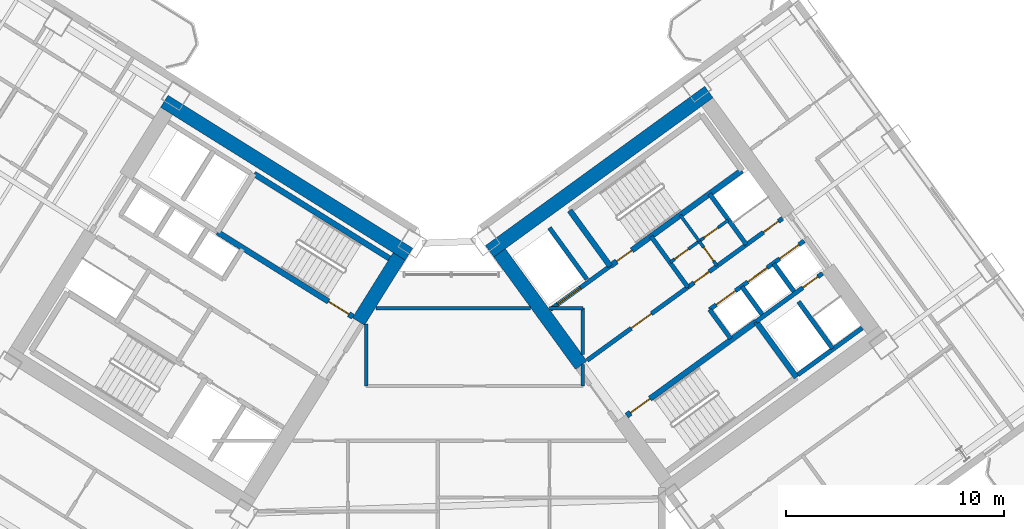
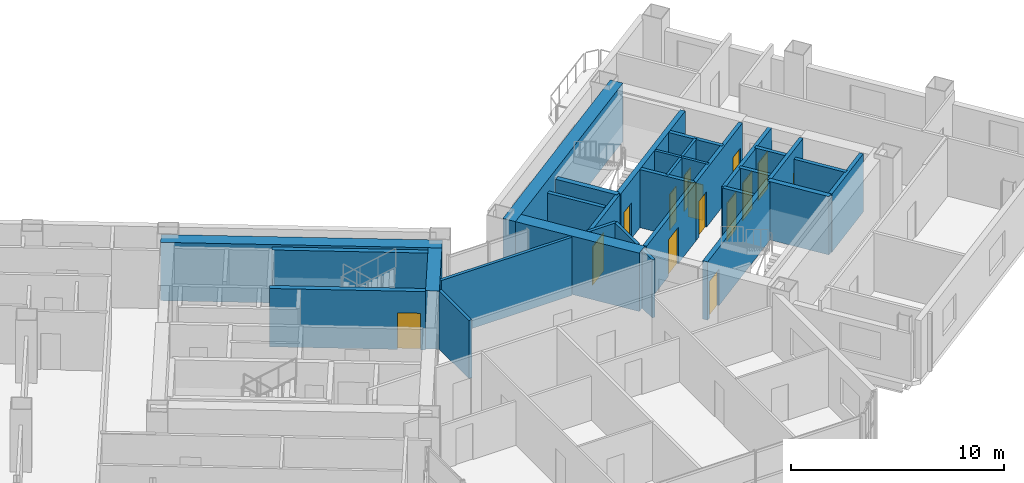
# One storey, part 18 of 24: 31 walls, 14 doors, 14 openings.
"""IFC4 building model written with IfcOpenShell, lengths in metres."""

from ifc_helpers import new_model, si_unit, direction, frame, frame_2d, origin, place, context, subcontext, project, spatial, rectangle, extrude, source, transform, mapped, material, layer, layer_set, type_object, element, fill, save


model = new_model("IFC4")

# Units and contexts
model_context = context("Model", 3, precision=1e-05, world=origin(), true_north=direction((0.0, 1.0)))
body_context = subcontext(model_context, "Body", "Model", "MODEL_VIEW")
ifc_project = project(units=[si_unit("LENGTHUNIT", "METRE"), si_unit("AREAUNIT", "SQUARE_METRE"), si_unit("VOLUMEUNIT", "CUBIC_METRE"), si_unit("PLANEANGLEUNIT", "RADIAN"), si_unit("MASSUNIT", "GRAM", prefix="KILO")], contexts=[model_context])

# Site, building, storey
site_placement = place(None, origin())
site = spatial("IfcSite", under=ifc_project, at=site_placement, CompositionType="ELEMENT")
building_placement = place(site_placement, origin())
building = spatial("IfcBuilding", under=site, at=building_placement, Name="Tlacorven Tower", CompositionType="ELEMENT")
storey_placement = place(building_placement, frame((0.0, 0.0, 38.39990234375)))
storey = spatial("IfcBuildingStorey", under=building, at=storey_placement, Name="L09", CompositionType="ELEMENT", Elevation=38.39990234375)

# Walls
ifc_material_1 = material(Name="Concrete C60/75", Category="concrete")
ifc_layer_1 = layer(ifc_material_1, 0.64990234375)
ifc_layer_set_1 = layer_set([ifc_layer_1], Name="Concrete C60/75")
wall_type_1 = type_object("IfcWallType", Name="WL-COR-650", PredefinedType="SHEAR", material=ifc_layer_set_1)
wall_1_placement = place(storey_placement, frame((40.615478515625, 23.9833984375, 0.0), z_axis=(0.0, 0.0, 1.0), x_axis=(-0.848045953968, 0.529922692436, 0.0)))
element("IfcWall", 1, at=wall_1_placement, inside=storey, type_object=wall_type_1, Name="L09 W core shear wall S1", PredefinedType="SHEAR", context=body_context, shape_type="SweptSolid", body=[
    extrude(rectangle(XDim=13.239990234375, YDim=0.64990234375, at=frame_2d((6.6201171875, 0.0))), origin(), (0.0, 0.0, 1.0), 3.35009765625),
])
wall_2_placement = place(storey_placement, frame((40.167724609375, 23.880126953125, 0.0), z_axis=(0.0, 0.0, 1.0), x_axis=(-0.529893103397, -0.8480644427, 0.0)))
element("IfcWall", 2, at=wall_2_placement, inside=storey, type_object=wall_type_1, Name="L09 W core end wall E1.1", PredefinedType="SHEAR", context=body_context, shape_type="SweptSolid", body=[
    extrude(rectangle(XDim=3.525146484375, YDim=0.64990234375, at=frame_2d((1.7626953125, 0.0))), origin(), (0.0, 0.0, 1.0), 3.35009765625),
])
wall_3_placement = place(storey_placement, frame((44.32470703125, 24.113037109375, 0.0), z_axis=(0.0, 0.0, 1.0), x_axis=(0.809012664862, 0.58779121131, 0.0)))
element("IfcWall", 3, at=wall_3_placement, inside=storey, type_object=wall_type_1, Name="L09 E core shear wall S2", PredefinedType="SHEAR", context=body_context, shape_type="SweptSolid", body=[
    extrude(rectangle(XDim=12.439697265625, YDim=0.64990234375, at=frame_2d((6.2197265625, 0.0))), origin(), (0.0, 0.0, 1.0), 3.35009765625),
])
wall_4_placement = place(storey_placement, frame((48.525634765625, 18.883544921875, 0.0), z_axis=(0.0, 0.0, 1.0), x_axis=(-0.58777996584, 0.809020835181, 0.0)))
element("IfcWall", 4, at=wall_4_placement, inside=storey, type_object=wall_type_1, Name="L09 E core end wall E1.2", PredefinedType="SHEAR", context=body_context, shape_type="SweptSolid", body=[
    extrude(rectangle(XDim=6.375, YDim=0.64990234375, at=frame_2d((3.1875, 0.0))), origin(), (0.0, 0.0, 1.0), 3.35009765625),
])
ifc_material_2 = material(Name="Gypsum plasterboard acoustic partition", Category="gypsum")
ifc_layer_2 = layer(ifc_material_2, 0.159912109375)
ifc_layer_set_2 = layer_set([ifc_layer_2], Name="Gypsum plasterboard acoustic partition")
wall_type_2 = type_object("IfcWallType", Name="WL-DEM-160", PredefinedType="PARTITIONING", material=ifc_layer_set_2)
wall_5_placement = place(storey_placement, frame((38.64990234375, 17.929931640625, 0.0), z_axis=(0.0, 0.0, 1.0), x_axis=(0.0, 1.0, 0.0)))
element("IfcWall", 5, at=wall_5_placement, inside=storey, type_object=wall_type_2, Name="L09 partition 73", PredefinedType="PARTITIONING", context=body_context, shape_type="SweptSolid", body=[
    extrude(rectangle(XDim=2.85693359375, YDim=0.159912109375, at=frame_2d((1.428466796875, 0.0))), origin(), (0.0, 0.0, 1.0), 3.340087890625),
])
wall_6_placement = place(storey_placement, frame((48.60009765625, 17.929931640625, 0.0), z_axis=(0.0, 0.0, 1.0), x_axis=(0.0, 1.0, 0.0)))
element("IfcWall", 6, at=wall_6_placement, inside=storey, type_object=wall_type_2, Name="L09 partition 74", PredefinedType="PARTITIONING", context=body_context, shape_type="SweptSolid", body=[
    extrude(rectangle(XDim=0.99267578125, YDim=0.159912109375, at=frame_2d((0.496337890625, 0.0))), origin(), (0.0, 0.0, 1.0), 3.340087890625),
])
wall_7_placement = place(storey_placement, frame((48.60009765625, 19.380126953125, 0.0), z_axis=(0.0, 0.0, 1.0), x_axis=(0.0, 1.0, 0.0)))
element("IfcWall", 7, at=wall_7_placement, inside=storey, type_object=wall_type_2, Name="L09 partition 74", PredefinedType="PARTITIONING", context=body_context, shape_type="SweptSolid", body=[
    extrude(rectangle(XDim=2.119873046875, YDim=0.159912109375, at=frame_2d((1.06005859375, 0.0))), origin(), (0.0, 0.0, 1.0), 3.340087890625),
])
wall_8_placement = place(storey_placement, frame((39.095458984375, 21.5, 0.0), z_axis=(0.0, 0.0, 1.0), x_axis=(1.0, 0.0, 0.0)))
element("IfcWall", 8, at=wall_8_placement, inside=storey, type_object=wall_type_2, Name="L09 partition 75", PredefinedType="PARTITIONING", context=body_context, shape_type="SweptSolid", body=[
    extrude(rectangle(XDim=7.09423828125, YDim=0.159912109375, at=frame_2d((3.547119140625, 0.0))), origin(), (0.0, 0.0, 1.0), 3.340087890625),
])
wall_9_placement = place(storey_placement, frame((47.059814453125, 21.5, 0.0), z_axis=(0.0, 0.0, 1.0), x_axis=(1.0, 0.0, 0.0)))
element("IfcWall", 9, at=wall_9_placement, inside=storey, type_object=wall_type_2, Name="L09 partition 75", PredefinedType="PARTITIONING", context=body_context, shape_type="SweptSolid", body=[
    extrude(rectangle(XDim=1.540283203125, YDim=0.159912109375, at=frame_2d((0.77001953125, 0.0))), origin(), (0.0, 0.0, 1.0), 3.340087890625),
])

# Wall, opening, door
ifc_material_3 = material(Name="Moisture-resistant gypsum plumbing wall", Category="gypsum")
ifc_layer_3 = layer(ifc_material_3, 0.139892578125)
ifc_layer_set_3 = layer_set([ifc_layer_3], Name="Moisture-resistant gypsum plumbing wall")
wall_type_3 = type_object("IfcWallType", Name="WL-PLM-140", PredefinedType="PLUMBINGWALL", material=ifc_layer_set_3)
wall_10_placement = place(storey_placement, frame((54.767578125, 23.443359375, 0.0), z_axis=(0.0, 0.0, 1.0), x_axis=(-0.587736077749, 0.809052719489, 0.0)))
wall_10 = element("IfcWall", 10, at=wall_10_placement, inside=storey, type_object=wall_type_3, Name="L09 partition 46", PredefinedType="PLUMBINGWALL", context=body_context, shape_type="SweptSolid", body=[
    extrude(rectangle(XDim=1.39990234375, YDim=0.139892578125, at=frame_2d((0.699951171875, 0.0))), origin(), (0.0, 0.0, 1.0), 3.340087890625),
])
opening_1_placement = place(wall_10_placement, frame((0.280029296875, 0.0, 0.0)))
opening_1 = element("IfcOpeningElement", 11, at=opening_1_placement, cuts=wall_10, Name="Opening D22", PredefinedType="OPENING", context=body_context, shape_type="SweptSolid", body=[
    extrude(rectangle(XDim=0.780029296875, YDim=2.050048828125, at=frame_2d((0.39013671875, 1.02490234375))), frame((0.0, 0.080078125, 0.0), z_axis=(0.0, -1.0, 0.0), x_axis=(1.0, 0.0, 0.0)), (0.0, 0.0, 1.0), 0.159912109375),
])
ifc_material_4 = material(Name="Powder-coated aluminium and timber door", Category="wood")
door_type_1 = type_object("IfcDoorType", Name="DR-INT-WET-0780", OperationType="NOTDEFINED", PredefinedType="DOOR", material=ifc_material_4)
shared_shape_1 = source(origin(), body_context, "Body", "SweptSolid", [
    extrude(rectangle(XDim=0.780029296875, YDim=2.050048828125, at=frame_2d((0.39013671875, 1.02490234375))), frame((0.0, 0.02490234375, 0.0), z_axis=(0.0, -1.0, 0.0), x_axis=(1.0, 0.0, 0.0)), (0.0, 0.0, 1.0), 0.050048828125),
])
door_1_placement = place(opening_1_placement, origin())
door_1 = element("IfcDoor", 12, at=door_1_placement, inside=storey, type_object=door_type_1, Name="L09 door 019", OperationType="SINGLE_SWING_LEFT", OverallHeight=2.050048828125, OverallWidth=0.780029296875, PredefinedType="DOOR", context=body_context, shape_type="MappedRepresentation", body=[
    mapped(shared_shape_1, transform((0.0, 0.0, 0.0), scale=1.0)),
])
fill(opening_1, door_1)

# Wall
wall_11_placement = place(storey_placement, frame((53.94482421875, 24.575927734375, 0.0), z_axis=(0.0, 0.0, 1.0), x_axis=(-0.587897037186, 0.808935766095, 0.0)))
element("IfcWall", 13, at=wall_11_placement, inside=storey, type_object=wall_type_3, Name="L09 partition 47", PredefinedType="PLUMBINGWALL", context=body_context, shape_type="SweptSolid", body=[
    extrude(rectangle(XDim=1.47998046875, YDim=0.139892578125, at=frame_2d((0.739990234375, 0.0))), origin(), (0.0, 0.0, 1.0), 3.340087890625),
])

# Wall, openings, doors
wall_12_placement = place(storey_placement, frame((52.617919921875, 23.612060546875, 0.0), z_axis=(0.0, 0.0, 1.0), x_axis=(0.809009587469, 0.587795446889, 0.0)))
wall_12 = element("IfcWall", 14, at=wall_12_placement, inside=storey, type_object=wall_type_3, Name="L09 partition 48", PredefinedType="PLUMBINGWALL", context=body_context, shape_type="SweptSolid", body=[
    extrude(rectangle(XDim=3.280029296875, YDim=0.139892578125, at=frame_2d((1.64013671875, 0.0))), origin(), (0.0, 0.0, 1.0), 3.340087890625),
])
opening_2_placement = place(wall_12_placement, frame((0.25, 0.0, 0.0)))
opening_2 = element("IfcOpeningElement", 15, at=opening_2_placement, cuts=wall_12, Name="Opening D22", PredefinedType="OPENING", context=body_context, shape_type="SweptSolid", body=[
    extrude(rectangle(XDim=0.780029296875, YDim=2.050048828125, at=frame_2d((0.39013671875, 1.02490234375))), frame((0.0, 0.080078125, 0.0), z_axis=(0.0, -1.0, 0.0), x_axis=(1.0, 0.0, 0.0)), (0.0, 0.0, 1.0), 0.159912109375),
])
opening_3_placement = place(wall_12_placement, frame((1.919921875, 0.0, 0.0)))
opening_3 = element("IfcOpeningElement", 16, at=opening_3_placement, cuts=wall_12, Name="Opening D22", PredefinedType="OPENING", context=body_context, shape_type="SweptSolid", body=[
    extrude(rectangle(XDim=0.780029296875, YDim=2.050048828125, at=frame_2d((0.39013671875, 1.02490234375))), frame((0.0, 0.080078125, 0.0), z_axis=(0.0, -1.0, 0.0), x_axis=(1.0, 0.0, 0.0)), (0.0, 0.0, 1.0), 0.159912109375),
])
door_2_placement = place(opening_2_placement, origin())
door_2 = element("IfcDoor", 17, at=door_2_placement, inside=storey, type_object=door_type_1, Name="L09 door 020", OperationType="SINGLE_SWING_RIGHT", OverallHeight=2.050048828125, OverallWidth=0.780029296875, PredefinedType="DOOR", context=body_context, shape_type="MappedRepresentation", body=[
    mapped(shared_shape_1, transform((0.0, 0.0, 0.0), scale=1.0)),
])
fill(opening_2, door_2)
door_3_placement = place(opening_3_placement, origin())
door_3 = element("IfcDoor", 18, at=door_3_placement, inside=storey, type_object=door_type_1, Name="L09 door 021", OperationType="SINGLE_SWING_LEFT", OverallHeight=2.050048828125, OverallWidth=0.780029296875, PredefinedType="DOOR", context=body_context, shape_type="MappedRepresentation", body=[
    mapped(shared_shape_1, transform((0.0, 0.0, 0.0), scale=1.0)),
])
fill(opening_3, door_3)

# Wall, opening, door
ifc_material_5 = material(Name="Concrete C40/50", Category="concrete")
ifc_layer_4 = layer(ifc_material_5, 0.199951171875)
ifc_layer_set_4 = layer_set([ifc_layer_4], Name="Concrete C40/50")
wall_type_4 = type_object("IfcWallType", Name="WL-SHF-200", PredefinedType="STANDARD", material=ifc_layer_set_4)
wall_13_placement = place(storey_placement, frame((47.10595703125, 21.4365234375, 0.0), z_axis=(0.0, 0.0, 1.0), x_axis=(0.809012514015, 0.58779141893, 0.0)))
wall_13 = element("IfcWall", 19, at=wall_13_placement, inside=storey, type_object=wall_type_4, Name="L09 Core E Firefighting Lift Shaft Front Wall", PredefinedType="STANDARD", context=body_context, shape_type="SweptSolid", body=[
    extrude(rectangle(XDim=3.39794921875, YDim=0.199951171875, at=frame_2d((1.698974609375, 0.0))), origin(), (0.0, 0.0, 1.0), 3.340087890625),
])
opening_4_placement = place(wall_13_placement, frame((0.407958984375, 0.0, 0.0)))
opening_4 = element("IfcOpeningElement", 20, at=opening_4_placement, cuts=wall_13, Name="Opening LD03", PredefinedType="OPENING", context=body_context, shape_type="SweptSolid", body=[
    extrude(rectangle(XDim=1.300048828125, YDim=2.199951171875, at=frame_2d((0.64990234375, 1.10009765625))), frame((0.0, 0.10986328125, 0.0), z_axis=(0.0, -1.0, 0.0), x_axis=(1.0, 0.0, 0.0)), (0.0, 0.0, 1.0), 0.219970703125),
])
ifc_material_6 = material(Name="Fire-rated steel door assembly", Category="steel")
door_type_2 = type_object("IfcDoorType", Name="DR-LFT-SLID-1300", OperationType="DOUBLE_DOOR_SLIDING", PredefinedType="DOOR", material=ifc_material_6)
shared_shape_2 = source(origin(), body_context, "Body", "SweptSolid", [
    extrude(rectangle(XDim=1.300048828125, YDim=2.199951171875, at=frame_2d((0.64990234375, 1.10009765625))), frame((0.0, 0.02490234375, 0.0), z_axis=(0.0, -1.0, 0.0), x_axis=(1.0, 0.0, 0.0)), (0.0, 0.0, 1.0), 0.050048828125),
])
door_4_placement = place(opening_4_placement, origin())
door_4 = element("IfcDoor", 21, at=door_4_placement, inside=storey, type_object=door_type_2, Name="L09 Lift FFL-E1 Sliding Landing Door", OperationType="DOUBLE_DOOR_SLIDING", OverallHeight=2.199951171875, OverallWidth=1.300048828125, PredefinedType="DOOR", context=body_context, shape_type="MappedRepresentation", body=[
    mapped(shared_shape_2, transform((0.0, 0.0, 0.0), scale=1.0)),
])
fill(opening_4, door_4)

wall_14_placement = place(storey_placement, frame((48.798828125, 19.106689453125, 0.0), z_axis=(0.0, 0.0, 1.0), x_axis=(0.809012959416, 0.587790805897, 0.0)))
wall_14 = element("IfcWall", 22, at=wall_14_placement, inside=storey, type_object=wall_type_4, Name="L09 Core E Smoke Lobby Wall", PredefinedType="STANDARD", context=body_context, shape_type="SweptSolid", body=[
    extrude(rectangle(XDim=5.7177734375, YDim=0.199951171875, at=frame_2d((2.85888671875, 0.0))), origin(), (0.0, 0.0, 1.0), 3.340087890625),
])
opening_5_placement = place(wall_14_placement, frame((2.498046875, 0.0, 0.0)))
opening_5 = element("IfcOpeningElement", 23, at=opening_5_placement, cuts=wall_14, Name="Opening D09", PredefinedType="OPENING", context=body_context, shape_type="SweptSolid", body=[
    extrude(rectangle(XDim=1.14990234375, YDim=2.10009765625, at=frame_2d((0.574951171875, 1.050048828125))), frame((0.0, 0.10986328125, 0.0), z_axis=(0.0, -1.0, 0.0), x_axis=(1.0, 0.0, 0.0)), (0.0, 0.0, 1.0), 0.219970703125),
])
door_type_3 = type_object("IfcDoorType", Name="DR-FFL-FD60-1150", OperationType="NOTDEFINED", PredefinedType="DOOR", material=ifc_material_6)
shared_shape_3 = source(origin(), body_context, "Body", "SweptSolid", [
    extrude(rectangle(XDim=1.14990234375, YDim=2.10009765625, at=frame_2d((0.574951171875, 1.050048828125))), frame((0.0, 0.02490234375, 0.0), z_axis=(0.0, -1.0, 0.0), x_axis=(1.0, 0.0, 0.0)), (0.0, 0.0, 1.0), 0.050048828125),
])
door_5_placement = place(opening_5_placement, origin())
door_5 = element("IfcDoor", 24, at=door_5_placement, inside=storey, type_object=door_type_3, Name="L09 Firefighting Lobby E Fire Door", OperationType="SINGLE_SWING_LEFT", OverallHeight=2.10009765625, OverallWidth=1.14990234375, PredefinedType="DOOR", context=body_context, shape_type="MappedRepresentation", body=[
    mapped(shared_shape_3, transform((0.0, 0.0, 0.0), scale=1.0)),
])
fill(opening_5, door_5)

wall_15_placement = place(storey_placement, frame((56.552978515625, 20.884033203125, 0.0), z_axis=(0.0, 0.0, 1.0), x_axis=(0.809035789462, 0.587759382205, 0.0)))
wall_15 = element("IfcWall", 25, at=wall_15_placement, inside=storey, type_object=wall_type_4, Name="L09 Core E South Lift Shaft Wall", PredefinedType="STANDARD", context=body_context, shape_type="SweptSolid", body=[
    extrude(rectangle(XDim=3.767822265625, YDim=0.199951171875, at=frame_2d((1.8837890625, 0.0))), origin(), (0.0, 0.0, 1.0), 3.340087890625),
])
opening_6_placement = place(wall_15_placement, frame((2.64990234375, 0.0, 0.0)))
opening_6 = element("IfcOpeningElement", 26, at=opening_6_placement, cuts=wall_15, Name="Opening D19", PredefinedType="OPENING", context=body_context, shape_type="SweptSolid", body=[
    extrude(rectangle(XDim=0.860107421875, YDim=2.050048828125, at=frame_2d((0.43017578125, 1.02490234375))), frame((0.0, 0.10986328125, 0.0), z_axis=(0.0, -1.0, 0.0), x_axis=(1.0, 0.0, 0.0)), (0.0, 0.0, 1.0), 0.219970703125),
])
door_type_4 = type_object("IfcDoorType", Name="DR-RSR-FD60-0860", OperationType="NOTDEFINED", PredefinedType="DOOR", material=ifc_material_6)
shared_shape_4 = source(origin(), body_context, "Body", "SweptSolid", [
    extrude(rectangle(XDim=0.860107421875, YDim=2.050048828125, at=frame_2d((0.43017578125, 1.02490234375))), frame((0.0, 0.02490234375, 0.0), z_axis=(0.0, -1.0, 0.0), x_axis=(1.0, 0.0, 0.0)), (0.0, 0.0, 1.0), 0.050048828125),
])
door_6_placement = place(opening_6_placement, origin())
door_6 = element("IfcDoor", 27, at=door_6_placement, inside=storey, type_object=door_type_4, Name="L09 Smoke Extract Riser Access Door", OperationType="SINGLE_SWING_RIGHT", OverallHeight=2.050048828125, OverallWidth=0.860107421875, PredefinedType="DOOR", context=body_context, shape_type="MappedRepresentation", body=[
    mapped(shared_shape_4, transform((0.0, 0.0, 0.0), scale=1.0)),
])
fill(opening_6, door_6)

# Wall, openings, doors
wall_16_placement = place(storey_placement, frame((54.421142578125, 21.436279296875, 0.0), z_axis=(0.0, 0.0, 1.0), x_axis=(0.809013710463, 0.587789772183, 0.0)))
wall_16 = element("IfcWall", 28, at=wall_16_placement, inside=storey, type_object=wall_type_4, Name="L09 partition 34", PredefinedType="STANDARD", context=body_context, shape_type="SweptSolid", body=[
    extrude(rectangle(XDim=5.360107421875, YDim=0.199951171875, at=frame_2d((2.68017578125, 0.0))), origin(), (0.0, 0.0, 1.0), 3.340087890625),
])
opening_7_placement = place(wall_16_placement, frame((0.3701171875, 0.0, 0.0)))
opening_7 = element("IfcOpeningElement", 29, at=opening_7_placement, cuts=wall_16, Name="Opening LD01", PredefinedType="OPENING", context=body_context, shape_type="SweptSolid", body=[
    extrude(rectangle(XDim=1.10009765625, YDim=2.14990234375, at=frame_2d((0.550048828125, 1.074951171875))), frame((0.0, 0.10986328125, 0.0), z_axis=(0.0, -1.0, 0.0), x_axis=(1.0, 0.0, 0.0)), (0.0, 0.0, 1.0), 0.219970703125),
])
opening_8_placement = place(wall_16_placement, frame((2.169921875, 0.0, 0.0)))
opening_8 = element("IfcOpeningElement", 30, at=opening_8_placement, cuts=wall_16, Name="Opening LD01", PredefinedType="OPENING", context=body_context, shape_type="SweptSolid", body=[
    extrude(rectangle(XDim=1.10009765625, YDim=2.14990234375, at=frame_2d((0.550048828125, 1.074951171875))), frame((0.0, 0.10986328125, 0.0), z_axis=(0.0, -1.0, 0.0), x_axis=(1.0, 0.0, 0.0)), (0.0, 0.0, 1.0), 0.219970703125),
])
opening_9_placement = place(wall_16_placement, frame((3.969970703125, 0.0, 0.0)))
opening_9 = element("IfcOpeningElement", 31, at=opening_9_placement, cuts=wall_16, Name="Opening LD01", PredefinedType="OPENING", context=body_context, shape_type="SweptSolid", body=[
    extrude(rectangle(XDim=1.10009765625, YDim=2.14990234375, at=frame_2d((0.550048828125, 1.074951171875))), frame((0.0, 0.10986328125, 0.0), z_axis=(0.0, -1.0, 0.0), x_axis=(1.0, 0.0, 0.0)), (0.0, 0.0, 1.0), 0.219970703125),
])
door_type_5 = type_object("IfcDoorType", Name="DR-LFT-SLID-1100", OperationType="DOUBLE_DOOR_SLIDING", PredefinedType="DOOR", material=ifc_material_6)
shared_shape_5 = source(origin(), body_context, "Body", "SweptSolid", [
    extrude(rectangle(XDim=1.10009765625, YDim=2.14990234375, at=frame_2d((0.550048828125, 1.074951171875))), frame((0.0, 0.02490234375, 0.0), z_axis=(0.0, -1.0, 0.0), x_axis=(1.0, 0.0, 0.0)), (0.0, 0.0, 1.0), 0.050048828125),
])
door_7_placement = place(opening_7_placement, origin())
door_7 = element("IfcDoor", 32, at=door_7_placement, inside=storey, type_object=door_type_5, Name="L09 Lift PL-L1 Sliding Landing Door", OperationType="DOUBLE_DOOR_SLIDING", OverallHeight=2.14990234375, OverallWidth=1.10009765625, PredefinedType="DOOR", context=body_context, shape_type="MappedRepresentation", body=[
    mapped(shared_shape_5, transform((0.0, 0.0, 0.0), scale=1.0)),
])
fill(opening_7, door_7)
door_8_placement = place(opening_8_placement, origin())
door_8 = element("IfcDoor", 33, at=door_8_placement, inside=storey, type_object=door_type_5, Name="L09 Lift PL-L2 Sliding Landing Door", OperationType="DOUBLE_DOOR_SLIDING", OverallHeight=2.14990234375, OverallWidth=1.10009765625, PredefinedType="DOOR", context=body_context, shape_type="MappedRepresentation", body=[
    mapped(shared_shape_5, transform((0.0, 0.0, 0.0), scale=1.0)),
])
fill(opening_8, door_8)
door_9_placement = place(opening_9_placement, origin())
door_9 = element("IfcDoor", 34, at=door_9_placement, inside=storey, type_object=door_type_5, Name="L09 Lift PL-L3 Sliding Landing Door", OperationType="DOUBLE_DOOR_SLIDING", OverallHeight=2.14990234375, OverallWidth=1.10009765625, PredefinedType="DOOR", context=body_context, shape_type="MappedRepresentation", body=[
    mapped(shared_shape_5, transform((0.0, 0.0, 0.0), scale=1.0)),
])
fill(opening_9, door_9)

# Walls
wall_17_placement = place(storey_placement, frame((55.390869140625, 20.1015625, 0.0), z_axis=(0.0, 0.0, 1.0), x_axis=(-0.58778447739, 0.809017557374, 0.0)))
element("IfcWall", 35, at=wall_17_placement, inside=storey, type_object=wall_type_4, Name="L09 partition 35", PredefinedType="STANDARD", context=body_context, shape_type="SweptSolid", body=[
    extrude(rectangle(XDim=1.64990234375, YDim=0.199951171875, at=frame_2d((0.824951171875, 0.0))), origin(), (0.0, 0.0, 1.0), 3.340087890625),
])
wall_18_placement = place(storey_placement, frame((48.78564453125, 22.830078125, 0.0), z_axis=(0.0, 0.0, 1.0), x_axis=(-0.587783856777, 0.809018008275, 0.0)))
element("IfcWall", 36, at=wall_18_placement, inside=storey, type_object=wall_type_4, Name="L09 partition 36", PredefinedType="STANDARD", context=body_context, shape_type="SweptSolid", body=[
    extrude(rectangle(XDim=2.919921875, YDim=0.199951171875, at=frame_2d((1.4599609375, 0.0))), origin(), (0.0, 0.0, 1.0), 3.340087890625),
])
wall_19_placement = place(storey_placement, frame((56.833984375, 21.211669921875, 0.0), z_axis=(0.0, 0.0, 1.0), x_axis=(-0.58776738483, 0.809029975545, 0.0)))
element("IfcWall", 37, at=wall_19_placement, inside=storey, type_object=wall_type_4, Name="L09 partition 37", PredefinedType="STANDARD", context=body_context, shape_type="SweptSolid", body=[
    extrude(rectangle(XDim=1.580078125, YDim=0.199951171875, at=frame_2d((0.7900390625, 0.0))), origin(), (0.0, 0.0, 1.0), 3.340087890625),
])
wall_20_placement = place(storey_placement, frame((58.290283203125, 22.269775390625, 0.0), z_axis=(0.0, 0.0, 1.0), x_axis=(-0.587840865826, 0.808976585857, 0.0)))
element("IfcWall", 38, at=wall_20_placement, inside=storey, type_object=wall_type_4, Name="L09 partition 38", PredefinedType="STANDARD", context=body_context, shape_type="SweptSolid", body=[
    extrude(rectangle(XDim=1.579833984375, YDim=0.199951171875, at=frame_2d((0.7900390625, 0.0))), origin(), (0.0, 0.0, 1.0), 3.340087890625),
])
wall_21_placement = place(storey_placement, frame((60.066650390625, 19.654541015625, 0.0), z_axis=(0.0, 0.0, 1.0), x_axis=(-0.587800520745, 0.809005900975, 0.0)))
element("IfcWall", 39, at=wall_21_placement, inside=storey, type_object=wall_type_4, Name="L09 partition 39", PredefinedType="STANDARD", context=body_context, shape_type="SweptSolid", body=[
    extrude(rectangle(XDim=2.659912109375, YDim=0.199951171875, at=frame_2d((1.330078125, 0.0))), origin(), (0.0, 0.0, 1.0), 3.340087890625),
])
wall_22_placement = place(storey_placement, frame((58.47216796875, 18.446533203125, 0.0), z_axis=(0.0, 0.0, 1.0), x_axis=(0.809022487728, 0.587777691266, 0.0)))
element("IfcWall", 40, at=wall_22_placement, inside=storey, type_object=wall_type_4, Name="L09 partition 41", PredefinedType="STANDARD", context=body_context, shape_type="SweptSolid", body=[
    extrude(rectangle(XDim=3.648193359375, YDim=0.199951171875, at=frame_2d((1.82421875, 0.0))), origin(), (0.0, 0.0, 1.0), 3.340087890625),
])
wall_23_placement = place(storey_placement, frame((53.424560546875, 22.467529296875, 0.0), z_axis=(0.0, 0.0, 1.0), x_axis=(-0.5877230039, 0.809062216821, 0.0)))
element("IfcWall", 41, at=wall_23_placement, inside=storey, type_object=wall_type_4, Name="L09 partition 43", PredefinedType="STANDARD", context=body_context, shape_type="SweptSolid", body=[
    extrude(rectangle(XDim=2.8798828125, YDim=0.199951171875, at=frame_2d((1.43994140625, 0.0))), origin(), (0.0, 0.0, 1.0), 3.340087890625),
])
wall_24_placement = place(storey_placement, frame((56.110595703125, 24.4189453125, 0.0), z_axis=(0.0, 0.0, 1.0), x_axis=(-0.58777848983, 0.809021907548, 0.0)))
element("IfcWall", 42, at=wall_24_placement, inside=storey, type_object=wall_type_4, Name="L09 partition 44", PredefinedType="STANDARD", context=body_context, shape_type="SweptSolid", body=[
    extrude(rectangle(XDim=2.880126953125, YDim=0.199951171875, at=frame_2d((1.43994140625, 0.0))), origin(), (0.0, 0.0, 1.0), 3.340087890625),
])

# Wall, openings, doors
wall_25_placement = place(storey_placement, frame((53.424560546875, 22.467529296875, 0.0), z_axis=(0.0, 0.0, 1.0), x_axis=(0.80902705128, 0.587771409902, 0.0)))
wall_25 = element("IfcWall", 43, at=wall_25_placement, inside=storey, type_object=wall_type_4, Name="L09 Core E North Service Wall", PredefinedType="STANDARD", context=body_context, shape_type="SweptSolid", body=[
    extrude(rectangle(XDim=5.3681640625, YDim=0.199951171875, at=frame_2d((2.68408203125, 0.0))), origin(), (0.0, 0.0, 1.0), 3.340087890625),
])
opening_10_placement = place(wall_25_placement, frame((4.280029296875, 0.0, 0.0)))
opening_10 = element("IfcOpeningElement", 44, at=opening_10_placement, cuts=wall_25, Name="Opening D19", PredefinedType="OPENING", context=body_context, shape_type="SweptSolid", body=[
    extrude(rectangle(XDim=0.860107421875, YDim=2.050048828125, at=frame_2d((0.43017578125, 1.02490234375))), frame((0.0, 0.10986328125, 0.0), z_axis=(0.0, -1.0, 0.0), x_axis=(1.0, 0.0, 0.0)), (0.0, 0.0, 1.0), 0.219970703125),
])
opening_11_placement = place(wall_25_placement, frame((0.35009765625, 0.0, 0.0)))
opening_11 = element("IfcOpeningElement", 45, at=opening_11_placement, cuts=wall_25, Name="Opening D19", PredefinedType="OPENING", context=body_context, shape_type="SweptSolid", body=[
    extrude(rectangle(XDim=0.860107421875, YDim=2.050048828125, at=frame_2d((0.43017578125, 1.02490234375))), frame((0.0, 0.10986328125, 0.0), z_axis=(0.0, -1.0, 0.0), x_axis=(1.0, 0.0, 0.0)), (0.0, 0.0, 1.0), 0.219970703125),
])
door_10_placement = place(opening_10_placement, frame((0.860107421875, 0.0, 0.0), z_axis=(0.0, 0.0, 1.0), x_axis=(-1.0, 0.0, 0.0)))
door_10 = element("IfcDoor", 46, at=door_10_placement, inside=storey, type_object=door_type_4, Name="L09 Electrical Riser Access Door E", OperationType="SINGLE_SWING_LEFT", OverallHeight=2.050048828125, OverallWidth=0.860107421875, PredefinedType="DOOR", context=body_context, shape_type="MappedRepresentation", body=[
    mapped(shared_shape_4, transform((0.0, 0.0, 0.0), scale=1.0)),
])
fill(opening_10, door_10)
door_11_placement = place(opening_11_placement, frame((0.860107421875, 0.0, 0.0), z_axis=(0.0, 0.0, 1.0), x_axis=(-1.0, 0.0, 0.0)))
door_11 = element("IfcDoor", 47, at=door_11_placement, inside=storey, type_object=door_type_4, Name="L09 Cleaning Room Access Door E", OperationType="SINGLE_SWING_RIGHT", OverallHeight=2.050048828125, OverallWidth=0.860107421875, PredefinedType="DOOR", context=body_context, shape_type="MappedRepresentation", body=[
    mapped(shared_shape_4, transform((0.0, 0.0, 0.0), scale=1.0)),
])
fill(opening_11, door_11)

# Wall
ifc_material_7 = material(Name="Concrete C50/60", Category="concrete")
ifc_layer_5 = layer(ifc_material_7, 0.260009765625)
ifc_layer_set_5 = layer_set([ifc_layer_5], Name="Concrete C50/60")
wall_type_5 = type_object("IfcWallType", Name="WL-STW-260", PredefinedType="SHEAR", material=ifc_layer_set_5)
wall_26_placement = place(storey_placement, frame((39.720947265625, 23.787841796875, 0.0), z_axis=(0.0, 0.0, 1.0), x_axis=(-0.848054434086, 0.529909121291, 0.0)))
element("IfcWall", 48, at=wall_26_placement, inside=storey, type_object=wall_type_5, Name="L09 Stair W2 Far Shear Wall", PredefinedType="SHEAR", context=body_context, shape_type="SweptSolid", body=[
    extrude(rectangle(XDim=7.330078125, YDim=0.260009765625, at=frame_2d((3.6650390625, 0.0))), origin(), (0.0, 0.0, 1.0), 3.35009765625),
])

# Wall, opening, door
wall_27_placement = place(storey_placement, frame((38.04638671875, 21.10791015625, 0.0), z_axis=(0.0, 0.0, 1.0), x_axis=(-0.848054434086, 0.529909121291, 0.0)))
wall_27 = element("IfcWall", 49, at=wall_27_placement, inside=storey, type_object=wall_type_5, Name="L09 Stair W2 Lobby Shear Wall", PredefinedType="SHEAR", context=body_context, shape_type="SweptSolid", body=[
    extrude(rectangle(XDim=7.330078125, YDim=0.260009765625, at=frame_2d((3.6650390625, 0.0))), origin(), (0.0, 0.0, 1.0), 3.35009765625),
])
opening_12_placement = place(wall_27_placement, frame((0.219970703125, 0.0, 0.0)))
opening_12 = element("IfcOpeningElement", 50, at=opening_12_placement, cuts=wall_27, Name="Opening D07", PredefinedType="OPENING", context=body_context, shape_type="SweptSolid", body=[
    extrude(rectangle(XDim=1.10009765625, YDim=2.10009765625, at=frame_2d((0.550048828125, 1.050048828125))), frame((0.0, 0.14013671875, 0.0), z_axis=(0.0, -1.0, 0.0), x_axis=(1.0, 0.0, 0.0)), (0.0, 0.0, 1.0), 0.280029296875),
])
door_type_6 = type_object("IfcDoorType", Name="DR-STR-FD90-1100", OperationType="NOTDEFINED", PredefinedType="DOOR", material=ifc_material_6)
shared_shape_6 = source(origin(), body_context, "Body", "SweptSolid", [
    extrude(rectangle(XDim=1.10009765625, YDim=2.10009765625, at=frame_2d((0.550048828125, 1.050048828125))), frame((0.0, 0.02490234375, 0.0), z_axis=(0.0, -1.0, 0.0), x_axis=(1.0, 0.0, 0.0)), (0.0, 0.0, 1.0), 0.050048828125),
])
door_12_placement = place(opening_12_placement, origin())
door_12 = element("IfcDoor", 51, at=door_12_placement, inside=storey, type_object=door_type_6, Name="L09 Exit Stair W2 Fire Door", OperationType="SINGLE_SWING_RIGHT", OverallHeight=2.10009765625, OverallWidth=1.10009765625, PredefinedType="DOOR", context=body_context, shape_type="MappedRepresentation", body=[
    mapped(shared_shape_6, transform((0.0, 0.0, 0.0), scale=1.0)),
])
fill(opening_12, door_12)

wall_28_placement = place(storey_placement, frame((49.863037109375, 23.439697265625, 0.0), z_axis=(0.0, 0.0, 1.0), x_axis=(0.809003474932, 0.587803859759, 0.0)))
wall_28 = element("IfcWall", 52, at=wall_28_placement, inside=storey, type_object=wall_type_5, Name="L09 Stair E1 Lobby Shear Wall", PredefinedType="SHEAR", context=body_context, shape_type="SweptSolid", body=[
    extrude(rectangle(XDim=7.4599609375, YDim=0.260009765625, at=frame_2d((3.72998046875, 0.0))), origin(), (0.0, 0.0, 1.0), 3.35009765625),
])
opening_13_placement = place(wall_28_placement, frame((0.360107421875, 0.0, 0.0)))
opening_13 = element("IfcOpeningElement", 53, at=opening_13_placement, cuts=wall_28, Name="Opening D19", PredefinedType="OPENING", context=body_context, shape_type="SweptSolid", body=[
    extrude(rectangle(XDim=0.860107421875, YDim=2.050048828125, at=frame_2d((0.43017578125, 1.02490234375))), frame((0.0, 0.14013671875, 0.0), z_axis=(0.0, -1.0, 0.0), x_axis=(1.0, 0.0, 0.0)), (0.0, 0.0, 1.0), 0.280029296875),
])
door_13_placement = place(opening_13_placement, frame((0.860107421875, 0.0, 0.0), z_axis=(0.0, 0.0, 1.0), x_axis=(-1.0, 0.0, 0.0)))
door_13 = element("IfcDoor", 54, at=door_13_placement, inside=storey, type_object=door_type_4, Name="L09 Exit Stair E1 Fire Door", OperationType="SINGLE_SWING_LEFT", OverallHeight=2.050048828125, OverallWidth=0.860107421875, PredefinedType="DOOR", context=body_context, shape_type="MappedRepresentation", body=[
    mapped(shared_shape_4, transform((0.0, 0.0, 0.0), scale=1.0)),
])
fill(opening_13, door_13)

# Wall
wall_29_placement = place(storey_placement, frame((49.85498046875, 23.433837890625, 0.0), z_axis=(0.0, 0.0, 1.0), x_axis=(-0.58776738483, 0.809029975545, 0.0)))
element("IfcWall", 55, at=wall_29_placement, inside=storey, type_object=wall_type_5, Name="L09 Stair E1 West Shear Wall", PredefinedType="SHEAR", context=body_context, shape_type="SweptSolid", body=[
    extrude(rectangle(XDim=3.16015625, YDim=0.260009765625, at=frame_2d((1.580078125, 0.0))), origin(), (0.0, 0.0, 1.0), 3.35009765625),
])

# Wall, opening, door
wall_30_placement = place(storey_placement, frame((50.61474609375, 16.569580078125, 0.0), z_axis=(0.0, 0.0, 1.0), x_axis=(0.809028366311, 0.587769599847, 0.0)))
wall_30 = element("IfcWall", 56, at=wall_30_placement, inside=storey, type_object=wall_type_5, Name="L09 Stair E2 Lobby Shear Wall", PredefinedType="SHEAR", context=body_context, shape_type="SweptSolid", body=[
    extrude(rectangle(XDim=7.330078125, YDim=0.260009765625, at=frame_2d((3.6650390625, 0.0))), origin(), (0.0, 0.0, 1.0), 3.35009765625),
])
opening_14_placement = place(wall_30_placement, frame((0.219970703125, 0.0, 0.0)))
opening_14 = element("IfcOpeningElement", 57, at=opening_14_placement, cuts=wall_30, Name="Opening D07", PredefinedType="OPENING", context=body_context, shape_type="SweptSolid", body=[
    extrude(rectangle(XDim=1.10009765625, YDim=2.10009765625, at=frame_2d((0.550048828125, 1.050048828125))), frame((0.0, 0.14013671875, 0.0), z_axis=(0.0, -1.0, 0.0), x_axis=(1.0, 0.0, 0.0)), (0.0, 0.0, 1.0), 0.280029296875),
])
door_14_placement = place(opening_14_placement, origin())
door_14 = element("IfcDoor", 58, at=door_14_placement, inside=storey, type_object=door_type_6, Name="L09 Exit Stair E2 Fire Door", OperationType="SINGLE_SWING_RIGHT", OverallHeight=2.10009765625, OverallWidth=1.10009765625, PredefinedType="DOOR", context=body_context, shape_type="MappedRepresentation", body=[
    mapped(shared_shape_6, transform((0.0, 0.0, 0.0), scale=1.0)),
])
fill(opening_14, door_14)

# Wall
wall_31_placement = place(storey_placement, frame((58.410400390625, 18.327392578125, 0.0), z_axis=(0.0, 0.0, 1.0), x_axis=(-0.58776738483, 0.809029975545, 0.0)))
element("IfcWall", 59, at=wall_31_placement, inside=storey, type_object=wall_type_5, Name="L09 Stair E2 East Shear Wall", PredefinedType="SHEAR", context=body_context, shape_type="SweptSolid", body=[
    extrude(rectangle(XDim=3.16015625, YDim=0.260009765625, at=frame_2d((1.580078125, 0.0))), origin(), (0.0, 0.0, 1.0), 3.35009765625),
])

save(model, "model.ifc")
